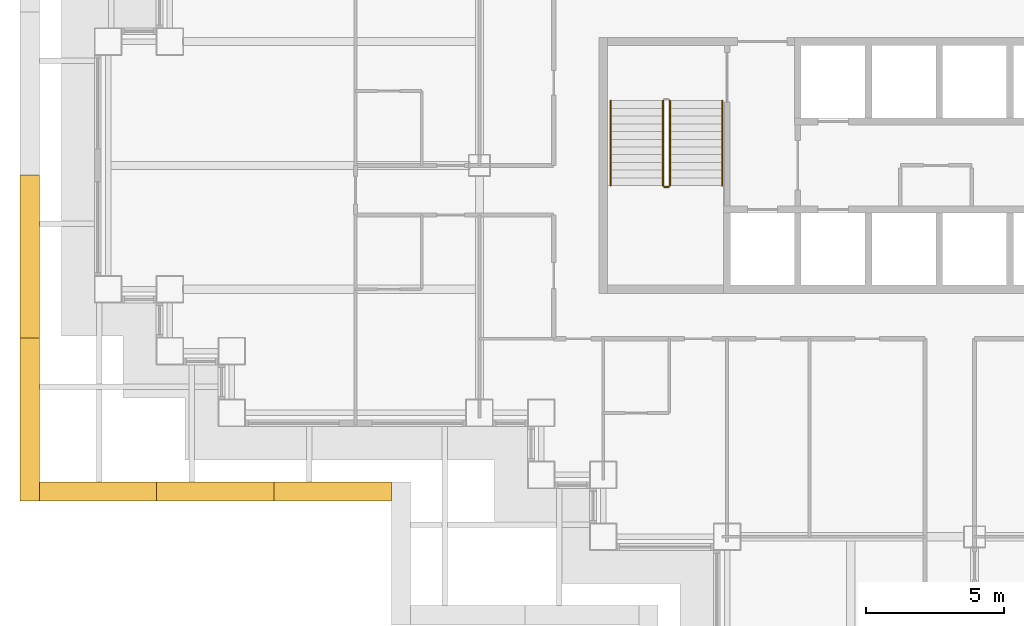
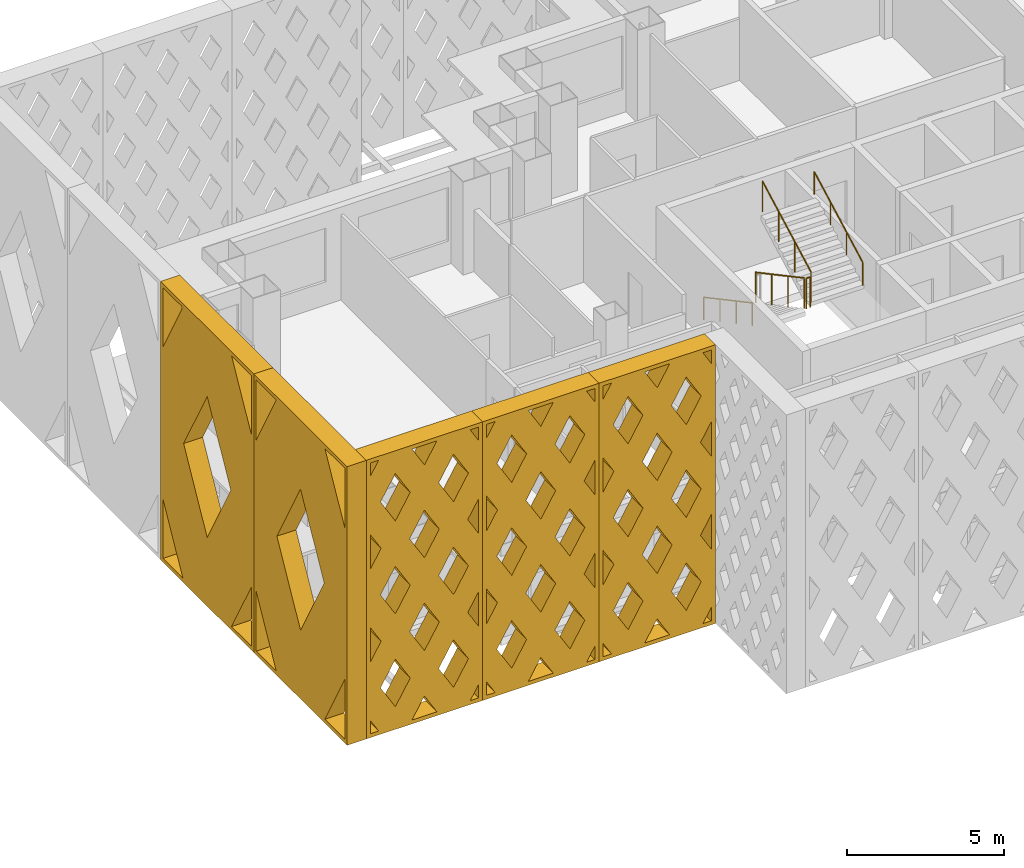
# One storey, part 14 of 19: 5 railings, 5 shading devices.
"""IFC4 building model written with IfcOpenShell, lengths in metres."""

from ifc_helpers import new_model, si_unit, direction, frame, origin, origin_2d, place, context, subcontext, project, spatial, polyline, circle, outline, extrude, material, type_object, element, save


model = new_model("IFC4")

# Units and contexts
model_context = context("Model", 3, precision=1e-05, world=origin(), true_north=direction((0.0, 1.0)))
body_context = subcontext(model_context, "Body", "Model", "MODEL_VIEW")
ifc_project = project(units=[si_unit("LENGTHUNIT", "METRE"), si_unit("AREAUNIT", "SQUARE_METRE"), si_unit("VOLUMEUNIT", "CUBIC_METRE"), si_unit("PLANEANGLEUNIT", "RADIAN"), si_unit("MASSUNIT", "GRAM", prefix="KILO")], contexts=[model_context])

# Site, building, storey
site_placement = place(None, origin())
site = spatial("IfcSite", under=ifc_project, at=site_placement, CompositionType="ELEMENT")
building_placement = place(site_placement, origin())
building = spatial("IfcBuilding", under=site, at=building_placement, Name="Caravel Reach Hotel and Residences", CompositionType="ELEMENT")
storey_placement = place(building_placement, frame((0.0, 0.0, 63.60009765625)))
storey = spatial("IfcBuildingStorey", under=building, at=storey_placement, Name="L14", CompositionType="ELEMENT", Elevation=63.60009765625)

# Shading devices
ifc_material_1 = material(Name="Black powder-coated aluminium", Category="aluminium")
shading_device_type_1 = type_object("IfcShadingDeviceType", Name="Diamond lattice screen panel 4267 x 10800", PredefinedType="USERDEFINED", material=ifc_material_1)
shading_device_1_placement = place(storey_placement, frame((-2.5, 15.5, 0.0), z_axis=(0.0, -1.0, 0.0), x_axis=(1.0, 0.0, 0.0)))
element("IfcShadingDevice", 1, at=shading_device_1_placement, inside=storey, type_object=shading_device_type_1, Name="Lattice screen L14-L16 18.1", ObjectType="SCREEN", PredefinedType="USERDEFINED", context=body_context, shape_type="SweptSolid", body=[
    extrude(outline(polyline([(0.0, 0.0), (4.2666015625, 0.0), (4.2666015625, 10.800048828125), (0.0, 10.800048828125), (0.0, 0.0)]), holes=[polyline([(0.457275390625, 0.14990234375), (0.14990234375, 0.66845703125), (0.14990234375, 0.14990234375), (0.457275390625, 0.14990234375)]), polyline([(0.546142578125, 3.60009765625), (0.14990234375, 4.2685546875), (0.14990234375, 2.931396484375), (0.546142578125, 3.60009765625)]), polyline([(0.546142578125, 7.199951171875), (0.14990234375, 7.868408203125), (0.14990234375, 6.531494140625), (0.546142578125, 7.199951171875)]), polyline([(0.14990234375, 10.131591796875), (0.457275390625, 10.64990234375), (0.14990234375, 10.64990234375), (0.14990234375, 10.131591796875)]), polyline([(1.066650390625, 2.7216796875), (0.5205078125, 1.800048828125), (1.066650390625, 0.87841796875), (1.61279296875, 1.800048828125), (1.066650390625, 2.7216796875)]), polyline([(1.066650390625, 6.321533203125), (0.5205078125, 5.39990234375), (1.066650390625, 4.478271484375), (1.61279296875, 5.39990234375), (1.066650390625, 6.321533203125)]), polyline([(1.066650390625, 9.921630859375), (0.5205078125, 9.0), (1.066650390625, 8.078369140625), (1.61279296875, 9.0), (1.066650390625, 9.921630859375)]), polyline([(2.13330078125, 0.921630859375), (1.676025390625, 0.14990234375), (2.590576171875, 0.14990234375), (2.13330078125, 0.921630859375)]), polyline([(2.13330078125, 4.521728515625), (1.587158203125, 3.60009765625), (2.13330078125, 2.678466796875), (2.679443359375, 3.60009765625), (2.13330078125, 4.521728515625)]), polyline([(2.13330078125, 8.12158203125), (1.587158203125, 7.199951171875), (2.13330078125, 6.2783203125), (2.679443359375, 7.199951171875), (2.13330078125, 8.12158203125)]), polyline([(2.13330078125, 9.87841796875), (2.590576171875, 10.64990234375), (1.676025390625, 10.64990234375), (2.13330078125, 9.87841796875)]), polyline([(3.199951171875, 2.7216796875), (2.65380859375, 1.800048828125), (3.199951171875, 0.87841796875), (3.74609375, 1.800048828125), (3.199951171875, 2.7216796875)]), polyline([(3.199951171875, 6.321533203125), (2.65380859375, 5.39990234375), (3.199951171875, 4.478271484375), (3.74609375, 5.39990234375), (3.199951171875, 6.321533203125)]), polyline([(3.199951171875, 9.921630859375), (2.65380859375, 9.0), (3.199951171875, 8.078369140625), (3.74609375, 9.0), (3.199951171875, 9.921630859375)]), polyline([(4.11669921875, 0.66845703125), (3.809326171875, 0.14990234375), (4.11669921875, 0.14990234375), (4.11669921875, 0.66845703125)]), polyline([(3.720458984375, 3.60009765625), (4.11669921875, 2.931396484375), (4.11669921875, 4.2685546875), (3.720458984375, 3.60009765625)]), polyline([(3.720458984375, 7.199951171875), (4.11669921875, 6.531494140625), (4.11669921875, 7.868408203125), (3.720458984375, 7.199951171875)]), polyline([(3.809326171875, 10.64990234375), (4.11669921875, 10.131591796875), (4.11669921875, 10.64990234375), (3.809326171875, 10.64990234375)])]), origin(), (0.0, 0.0, 1.0), 0.699951171875),
])
shading_device_2_placement = place(storey_placement, frame((1.7666015625, 15.5, 0.0), z_axis=(0.0, -1.0, 0.0), x_axis=(1.0, 0.0, 0.0)))
element("IfcShadingDevice", 2, at=shading_device_2_placement, inside=storey, type_object=shading_device_type_1, Name="Lattice screen L14-L16 18.2", ObjectType="SCREEN", PredefinedType="USERDEFINED", context=body_context, shape_type="SweptSolid", body=[
    extrude(outline(polyline([(0.0, 0.0), (4.2666015625, 0.0), (4.2666015625, 10.800048828125), (0.0, 10.800048828125), (0.0, 0.0)]), holes=[polyline([(0.457275390625, 0.14990234375), (0.14990234375, 0.66845703125), (0.14990234375, 0.14990234375), (0.457275390625, 0.14990234375)]), polyline([(0.546142578125, 3.60009765625), (0.14990234375, 4.2685546875), (0.14990234375, 2.931396484375), (0.546142578125, 3.60009765625)]), polyline([(0.546142578125, 7.199951171875), (0.14990234375, 7.868408203125), (0.14990234375, 6.531494140625), (0.546142578125, 7.199951171875)]), polyline([(0.14990234375, 10.131591796875), (0.457275390625, 10.64990234375), (0.14990234375, 10.64990234375), (0.14990234375, 10.131591796875)]), polyline([(1.066650390625, 2.7216796875), (0.5205078125, 1.800048828125), (1.066650390625, 0.87841796875), (1.61279296875, 1.800048828125), (1.066650390625, 2.7216796875)]), polyline([(1.066650390625, 6.321533203125), (0.5205078125, 5.39990234375), (1.066650390625, 4.478271484375), (1.61279296875, 5.39990234375), (1.066650390625, 6.321533203125)]), polyline([(1.066650390625, 9.921630859375), (0.5205078125, 9.0), (1.066650390625, 8.078369140625), (1.61279296875, 9.0), (1.066650390625, 9.921630859375)]), polyline([(2.13330078125, 0.921630859375), (1.676025390625, 0.14990234375), (2.590576171875, 0.14990234375), (2.13330078125, 0.921630859375)]), polyline([(2.13330078125, 4.521728515625), (1.587158203125, 3.60009765625), (2.13330078125, 2.678466796875), (2.679443359375, 3.60009765625), (2.13330078125, 4.521728515625)]), polyline([(2.13330078125, 8.12158203125), (1.587158203125, 7.199951171875), (2.13330078125, 6.2783203125), (2.679443359375, 7.199951171875), (2.13330078125, 8.12158203125)]), polyline([(2.13330078125, 9.87841796875), (2.590576171875, 10.64990234375), (1.676025390625, 10.64990234375), (2.13330078125, 9.87841796875)]), polyline([(3.199951171875, 2.7216796875), (2.65380859375, 1.800048828125), (3.199951171875, 0.87841796875), (3.74609375, 1.800048828125), (3.199951171875, 2.7216796875)]), polyline([(3.199951171875, 6.321533203125), (2.65380859375, 5.39990234375), (3.199951171875, 4.478271484375), (3.74609375, 5.39990234375), (3.199951171875, 6.321533203125)]), polyline([(3.199951171875, 9.921630859375), (2.65380859375, 9.0), (3.199951171875, 8.078369140625), (3.74609375, 9.0), (3.199951171875, 9.921630859375)]), polyline([(4.11669921875, 0.66845703125), (3.809326171875, 0.14990234375), (4.11669921875, 0.14990234375), (4.11669921875, 0.66845703125)]), polyline([(3.720458984375, 3.60009765625), (4.11669921875, 2.931396484375), (4.11669921875, 4.2685546875), (3.720458984375, 3.60009765625)]), polyline([(3.720458984375, 7.199951171875), (4.11669921875, 6.531494140625), (4.11669921875, 7.868408203125), (3.720458984375, 7.199951171875)]), polyline([(3.809326171875, 10.64990234375), (4.11669921875, 10.131591796875), (4.11669921875, 10.64990234375), (3.809326171875, 10.64990234375)])]), origin(), (0.0, 0.0, 1.0), 0.699951171875),
])
shading_device_3_placement = place(storey_placement, frame((6.033447265625, 15.5, 0.0), z_axis=(0.0, -1.0, 0.0), x_axis=(1.0, 0.0, 0.0)))
element("IfcShadingDevice", 3, at=shading_device_3_placement, inside=storey, type_object=shading_device_type_1, Name="Lattice screen L14-L16 18.3", ObjectType="SCREEN", PredefinedType="USERDEFINED", context=body_context, shape_type="SweptSolid", body=[
    extrude(outline(polyline([(0.0, 0.0), (4.2666015625, 0.0), (4.2666015625, 10.800048828125), (0.0, 10.800048828125), (0.0, 0.0)]), holes=[polyline([(0.457275390625, 0.14990234375), (0.14990234375, 0.66845703125), (0.14990234375, 0.14990234375), (0.457275390625, 0.14990234375)]), polyline([(0.546142578125, 3.60009765625), (0.14990234375, 4.2685546875), (0.14990234375, 2.931396484375), (0.546142578125, 3.60009765625)]), polyline([(0.546142578125, 7.199951171875), (0.14990234375, 7.868408203125), (0.14990234375, 6.531494140625), (0.546142578125, 7.199951171875)]), polyline([(0.14990234375, 10.131591796875), (0.457275390625, 10.64990234375), (0.14990234375, 10.64990234375), (0.14990234375, 10.131591796875)]), polyline([(1.066650390625, 2.7216796875), (0.5205078125, 1.800048828125), (1.066650390625, 0.87841796875), (1.61279296875, 1.800048828125), (1.066650390625, 2.7216796875)]), polyline([(1.066650390625, 6.321533203125), (0.5205078125, 5.39990234375), (1.066650390625, 4.478271484375), (1.61279296875, 5.39990234375), (1.066650390625, 6.321533203125)]), polyline([(1.066650390625, 9.921630859375), (0.5205078125, 9.0), (1.066650390625, 8.078369140625), (1.61279296875, 9.0), (1.066650390625, 9.921630859375)]), polyline([(2.13330078125, 0.921630859375), (1.676025390625, 0.14990234375), (2.590576171875, 0.14990234375), (2.13330078125, 0.921630859375)]), polyline([(2.13330078125, 4.521728515625), (1.587158203125, 3.60009765625), (2.13330078125, 2.678466796875), (2.679443359375, 3.60009765625), (2.13330078125, 4.521728515625)]), polyline([(2.13330078125, 8.12158203125), (1.587158203125, 7.199951171875), (2.13330078125, 6.2783203125), (2.679443359375, 7.199951171875), (2.13330078125, 8.12158203125)]), polyline([(2.13330078125, 9.87841796875), (2.590576171875, 10.64990234375), (1.676025390625, 10.64990234375), (2.13330078125, 9.87841796875)]), polyline([(3.199951171875, 2.7216796875), (2.65380859375, 1.800048828125), (3.199951171875, 0.87841796875), (3.74609375, 1.800048828125), (3.199951171875, 2.7216796875)]), polyline([(3.199951171875, 6.321533203125), (2.65380859375, 5.39990234375), (3.199951171875, 4.478271484375), (3.74609375, 5.39990234375), (3.199951171875, 6.321533203125)]), polyline([(3.199951171875, 9.921630859375), (2.65380859375, 9.0), (3.199951171875, 8.078369140625), (3.74609375, 9.0), (3.199951171875, 9.921630859375)]), polyline([(4.11669921875, 0.66845703125), (3.809326171875, 0.14990234375), (4.11669921875, 0.14990234375), (4.11669921875, 0.66845703125)]), polyline([(3.720458984375, 3.60009765625), (4.11669921875, 2.931396484375), (4.11669921875, 4.2685546875), (3.720458984375, 3.60009765625)]), polyline([(3.720458984375, 7.199951171875), (4.11669921875, 6.531494140625), (4.11669921875, 7.868408203125), (3.720458984375, 7.199951171875)]), polyline([(3.809326171875, 10.64990234375), (4.11669921875, 10.131591796875), (4.11669921875, 10.64990234375), (3.809326171875, 10.64990234375)])]), origin(), (0.0, 0.0, 1.0), 0.699951171875),
])
ifc_material_2 = material(Name="Black powder-coated aluminium", Category="aluminium")
shading_device_type_2 = type_object("IfcShadingDeviceType", Name="Diamond lattice screen panel 5925 x 10800", PredefinedType="USERDEFINED", material=ifc_material_2)
for number, where, z_axis, x_axis, name in (
    (4, (-2.5, 26.64990234375, 0.0), (-1.0, 0.0, 0.0), (0.0, -1.0, 0.0), "Lattice screen L14-L16 17.3"),
    (5, (-2.5, 20.72509765625, 0.0), (-1.0, 0.0, 0.0), (0.0, -1.0, 0.0), "Lattice screen L14-L16 17.4"),
):
    element("IfcShadingDevice", number, at=place(storey_placement, frame(where, z_axis=z_axis, x_axis=x_axis)), inside=storey, type_object=shading_device_type_2, Name=name, ObjectType="SCREEN", PredefinedType="USERDEFINED", context=body_context, shape_type="SweptSolid", body=[
        extrude(outline(polyline([(0.0, 0.0), (5.925048828125, 0.0), (5.925048828125, 10.800048828125), (0.0, 10.800048828125), (0.0, 0.0)]), holes=[polyline([(1.41845703125, 0.14990234375), (0.14990234375, 2.462158203125), (0.14990234375, 0.14990234375), (1.41845703125, 0.14990234375)]), polyline([(0.14990234375, 8.337646484375), (1.41845703125, 10.64990234375), (0.14990234375, 10.64990234375), (0.14990234375, 8.337646484375)]), polyline([(2.96240234375, 8.1357421875), (1.461669921875, 5.39990234375), (2.96240234375, 2.664306640625), (4.46337890625, 5.39990234375), (2.96240234375, 8.1357421875)]), polyline([(5.77490234375, 2.462158203125), (4.506591796875, 0.14990234375), (5.77490234375, 0.14990234375), (5.77490234375, 2.462158203125)]), polyline([(4.506591796875, 10.64990234375), (5.77490234375, 8.337646484375), (5.77490234375, 10.64990234375), (4.506591796875, 10.64990234375)])]), origin(), (0.0, 0.0, 1.0), 0.699951171875),
    ])

# Railings
ifc_material_3 = material(Name="Steel balustrade with glass infill", Category="steel")
railing_type_1 = type_object("IfcRailingType", Name="Guard 1200", PredefinedType="GUARDRAIL", material=ifc_material_3)
railing_1_placement = place(storey_placement, frame((20.175048828125, 29.35009765625, 0.14990234375)))
element("IfcRailing", 6, at=railing_1_placement, inside=storey, type_object=railing_type_1, Name="L14 ST-A stair guard 1", PredefinedType="GUARDRAIL", context=body_context, shape_type="SweptSolid", body=[
    extrude(circle(Radius=0.02392578125, at=origin_2d()), frame((0.0, 0.0, 1.17578125), z_axis=(0.0, -0.881496589024, 0.472190389079), x_axis=(1.0, 0.0, 0.0)), (0.0, 0.0, 1.0), 3.494140625),
    extrude(circle(Radius=0.02099609375, at=origin_2d()), origin(), (0.0, 0.0, 1.0), 1.15185546875),
    extrude(circle(Radius=0.02099609375, at=origin_2d()), frame((0.0, -1.026611328125, 0.550048828125)), (0.0, 0.0, 1.0), 1.15185546875),
    extrude(circle(Radius=0.02099609375, at=origin_2d()), frame((0.0, -2.053466796875, 1.099853515625)), (0.0, 0.0, 1.0), 1.15185546875),
    extrude(circle(Radius=0.02099609375, at=origin_2d()), frame((0.0, -3.080078125, 1.64990234375)), (0.0, 0.0, 1.0), 1.15185546875),
])
railing_2_placement = place(storey_placement, frame((20.22509765625, 26.219970703125, 1.7998046875)))
element("IfcRailing", 7, at=railing_2_placement, inside=storey, type_object=railing_type_1, Name="L14 ST-A stair guard 2", PredefinedType="GUARDRAIL", context=body_context, shape_type="SweptSolid", body=[
    extrude(circle(Radius=0.02392578125, at=origin_2d()), frame((0.0, 0.0, 1.17578125), z_axis=(1.0, 0.0, 0.0), x_axis=(0.0, 1.0, 0.0)), (0.0, 0.0, 1.0), 0.14990234375),
    extrude(circle(Radius=0.02099609375, at=origin_2d()), origin(), (0.0, 0.0, 1.0), 1.15185546875),
    extrude(circle(Radius=0.02099609375, at=origin_2d()), frame((0.14990234375, 0.0, 0.0)), (0.0, 0.0, 1.0), 1.15185546875),
])
railing_3_placement = place(storey_placement, frame((20.425048828125, 26.27001953125, 1.949951171875)))
element("IfcRailing", 8, at=railing_3_placement, inside=storey, type_object=railing_type_1, Name="L14 ST-A stair guard 3", PredefinedType="GUARDRAIL", context=body_context, shape_type="SweptSolid", body=[
    extrude(circle(Radius=0.02392578125, at=origin_2d()), frame((0.0, 0.0, 1.17578125), z_axis=(0.0, 0.881496589024, 0.472190389079), x_axis=(-1.0, 0.0, 0.0)), (0.0, 0.0, 1.0), 3.494140625),
    extrude(circle(Radius=0.02099609375, at=origin_2d()), origin(), (0.0, 0.0, 1.0), 1.15185546875),
    extrude(circle(Radius=0.02099609375, at=origin_2d()), frame((0.0, 1.026611328125, 0.550048828125)), (0.0, 0.0, 1.0), 1.15185546875),
    extrude(circle(Radius=0.02099609375, at=origin_2d()), frame((0.0, 2.053466796875, 1.099853515625)), (0.0, 0.0, 1.0), 1.15185546875),
    extrude(circle(Radius=0.02099609375, at=origin_2d()), frame((0.0, 3.080078125, 1.64990234375)), (0.0, 0.0, 1.0), 1.15185546875),
])
ifc_material_4 = material(Name="Stainless steel handrail", Category="steel")
railing_type_2 = type_object("IfcRailingType", Name="Handrail 900", PredefinedType="HANDRAIL", material=ifc_material_4)
railing_4_placement = place(storey_placement, frame((18.27490234375, 29.35009765625, 0.14990234375)))
element("IfcRailing", 9, at=railing_4_placement, inside=storey, type_object=railing_type_2, Name="L14 ST-A stair handrail 1", PredefinedType="HANDRAIL", context=body_context, shape_type="SweptSolid", body=[
    extrude(circle(Radius=0.02392578125, at=origin_2d()), frame((0.0, 0.0, 0.8759765625), z_axis=(0.0, -0.881496589024, 0.472190389079), x_axis=(1.0, 0.0, 0.0)), (0.0, 0.0, 1.0), 3.494140625),
    extrude(circle(Radius=0.02099609375, at=origin_2d()), origin(), (0.0, 0.0, 1.0), 0.851806640625),
    extrude(circle(Radius=0.02099609375, at=origin_2d()), frame((0.0, -1.026611328125, 0.550048828125)), (0.0, 0.0, 1.0), 0.851806640625),
    extrude(circle(Radius=0.02099609375, at=origin_2d()), frame((0.0, -2.053466796875, 1.099853515625)), (0.0, 0.0, 1.0), 0.851806640625),
    extrude(circle(Radius=0.02099609375, at=origin_2d()), frame((0.0, -3.080078125, 1.64990234375)), (0.0, 0.0, 1.0), 0.851806640625),
])
railing_5_placement = place(storey_placement, frame((22.324951171875, 26.27001953125, 1.949951171875)))
element("IfcRailing", 10, at=railing_5_placement, inside=storey, type_object=railing_type_2, Name="L14 ST-A stair handrail 2", PredefinedType="HANDRAIL", context=body_context, shape_type="SweptSolid", body=[
    extrude(circle(Radius=0.02392578125, at=origin_2d()), frame((0.0, 0.0, 0.8759765625), z_axis=(0.0, 0.881496589024, 0.472190389079), x_axis=(-1.0, 0.0, 0.0)), (0.0, 0.0, 1.0), 3.494140625),
    extrude(circle(Radius=0.02099609375, at=origin_2d()), origin(), (0.0, 0.0, 1.0), 0.851806640625),
    extrude(circle(Radius=0.02099609375, at=origin_2d()), frame((0.0, 1.026611328125, 0.550048828125)), (0.0, 0.0, 1.0), 0.851806640625),
    extrude(circle(Radius=0.02099609375, at=origin_2d()), frame((0.0, 2.053466796875, 1.099853515625)), (0.0, 0.0, 1.0), 0.851806640625),
    extrude(circle(Radius=0.02099609375, at=origin_2d()), frame((0.0, 3.080078125, 1.64990234375)), (0.0, 0.0, 1.0), 0.851806640625),
])

save(model, "model.ifc")
